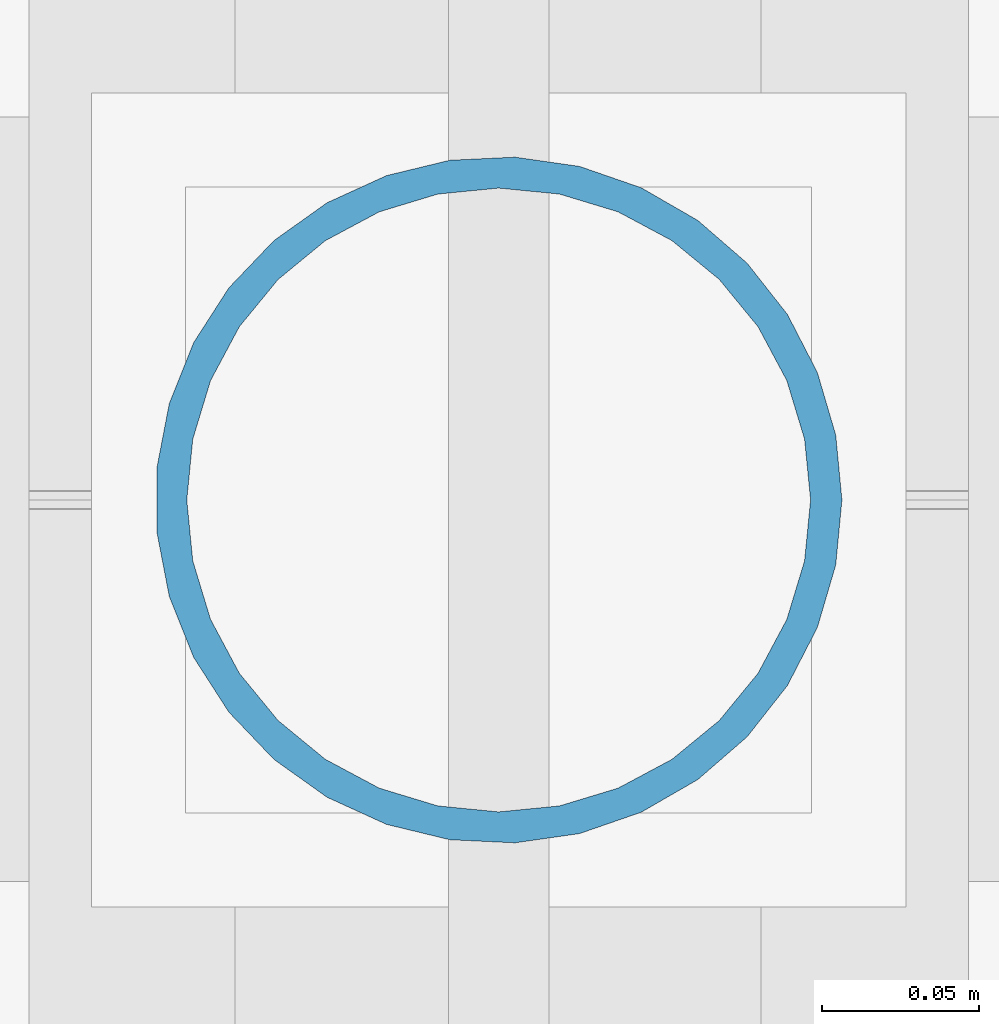
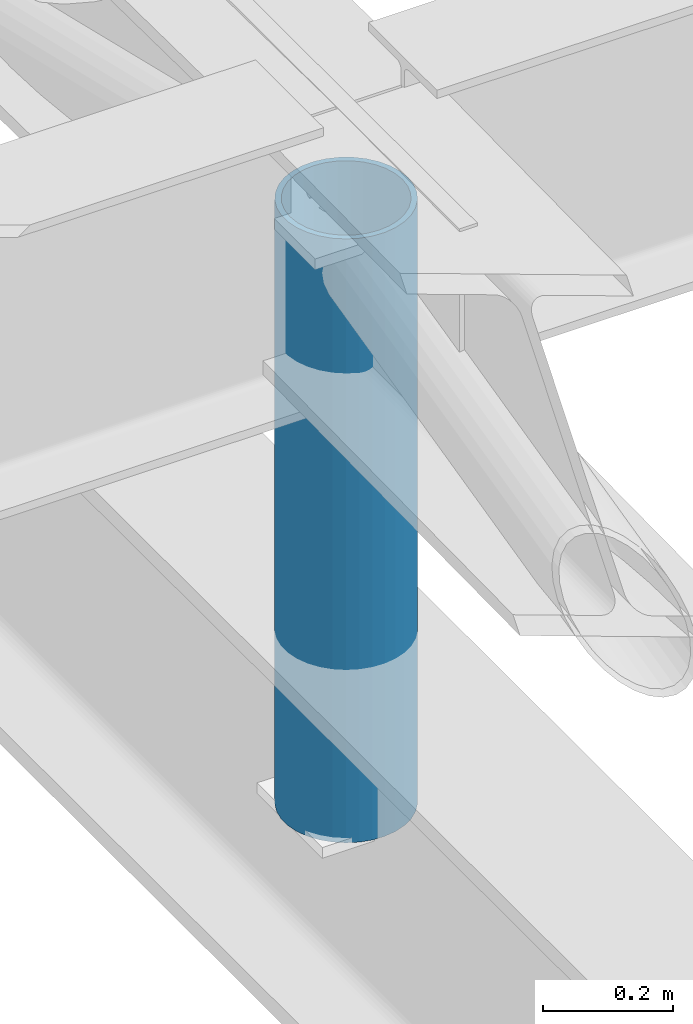
# One storey, part 133 of 239: 1 member.
"""IFC4 building model written with IfcOpenShell, lengths in metres."""

from ifc_helpers import new_model, si_unit, direction, frame, origin, origin_2d, place, context, subcontext, project, spatial, hollow_circle, extrude, material, material_profile, profile_set, type_object, element, save


model = new_model("IFC4")

# Units and contexts
model_context = context("Model", 3, precision=1e-05, world=origin(), true_north=direction((0.0, 1.0)))
body_context = subcontext(model_context, "Body", "Model", "MODEL_VIEW")
ifc_project = project(units=[si_unit("LENGTHUNIT", "METRE"), si_unit("AREAUNIT", "SQUARE_METRE"), si_unit("VOLUMEUNIT", "CUBIC_METRE"), si_unit("PLANEANGLEUNIT", "RADIAN"), si_unit("MASSUNIT", "GRAM", prefix="KILO")], contexts=[model_context])

# Site, building, storey
site_placement = place(None, origin())
site = spatial("IfcSite", under=ifc_project, at=site_placement, CompositionType="ELEMENT")
building_placement = place(site_placement, origin())
building = spatial("IfcBuilding", under=site, at=building_placement, Name="Dunvalen Ferry Terminal", CompositionType="ELEMENT")
storey_placement = place(building_placement, frame((0.0, 0.0, 9.840087890625)))
storey = spatial("IfcBuildingStorey", under=building, at=storey_placement, Name="L02", CompositionType="ELEMENT", Elevation=9.840087890625)

# Member
ifc_material = material(Name="Steel S355", Category="steel")
ifc_material_profile = material_profile(ifc_material, hollow_circle(Radius=0.109619140625, WallThickness=0.010009765625, at=origin_2d()), Name="Steel S355")
ifc_profile_set = profile_set([ifc_material_profile], Name="Steel S355")
member_type = type_object("IfcMemberType", Name="STR-MB-CHS219", PredefinedType="STRUT", material=ifc_profile_set)
member_placement = place(storey_placement, frame((84.0, 68.39990234375, -0.360107421875), z_axis=(0.0, 0.0, 1.0), x_axis=(1.0, 0.0, 0.0)))
element("IfcMember", 1, at=member_placement, inside=storey, type_object=member_type, Name="Departure Hall Arch Spandrel Strut 07.4", PredefinedType="STRUT", context=body_context, shape_type="SweptSolid", body=[
    extrude(hollow_circle(Radius=0.109619140625, WallThickness=0.010009765625, at=origin_2d()), origin(), (0.0, 0.0, 1.0), 1.130126953125),
])

save(model, "model.ifc")
